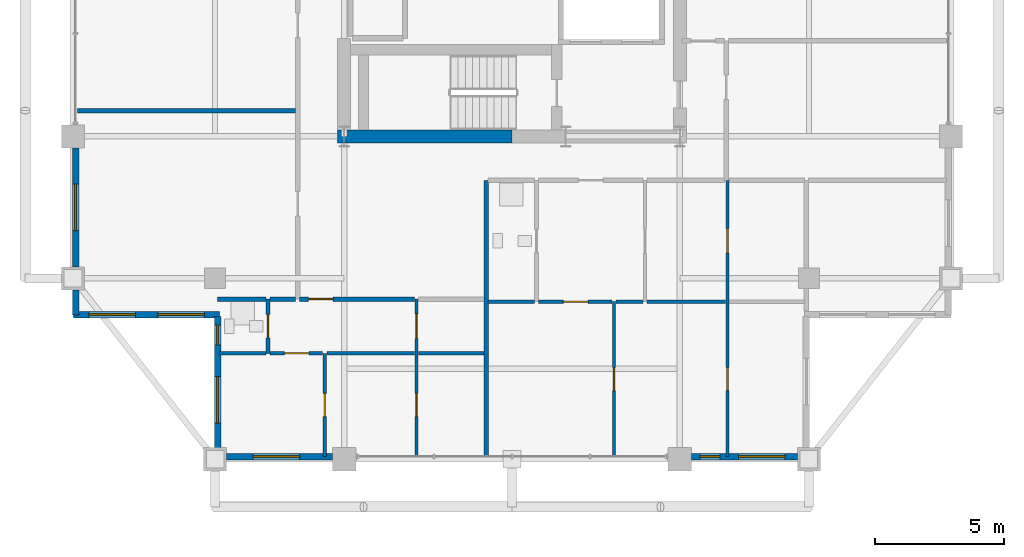
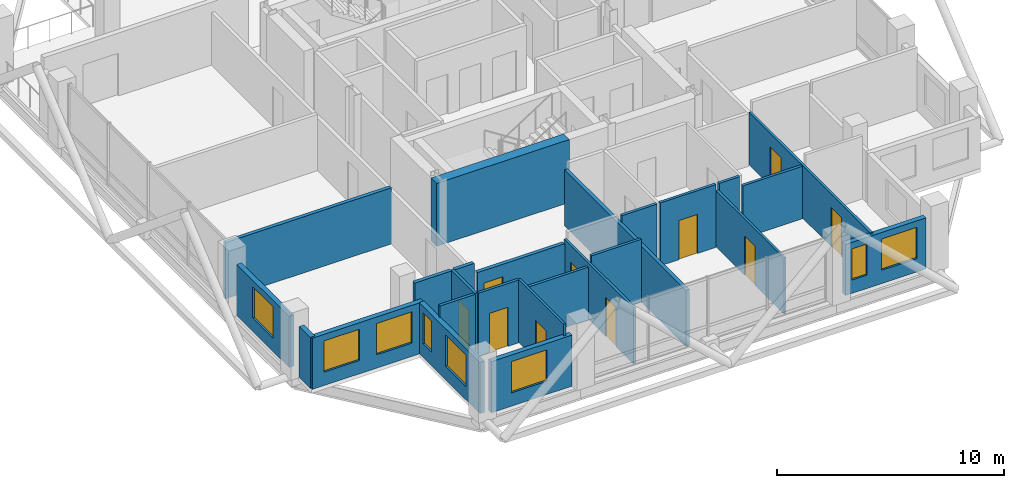
# One storey, part 15 of 21: 25 walls, 10 doors, 8 windows, 18 openings.
"""IFC4 building model written with IfcOpenShell, lengths in metres."""

from ifc_helpers import new_model, si_unit, direction, frame, frame_2d, origin, place, context, subcontext, project, spatial, rectangle, extrude, material, layer, layer_set, type_object, element, fill, save


model = new_model("IFC4")

# Units and contexts
model_context = context("Model", 3, precision=1e-05, world=origin(), true_north=direction((0.0, 1.0)))
body_context = subcontext(model_context, "Body", "Model", "MODEL_VIEW")
ifc_project = project(units=[si_unit("LENGTHUNIT", "METRE"), si_unit("AREAUNIT", "SQUARE_METRE"), si_unit("VOLUMEUNIT", "CUBIC_METRE"), si_unit("PLANEANGLEUNIT", "RADIAN"), si_unit("MASSUNIT", "GRAM", prefix="KILO")], contexts=[model_context])

# Site, building, storey
site_placement = place(None, origin())
site = spatial("IfcSite", under=ifc_project, at=site_placement, CompositionType="ELEMENT")
building_placement = place(site_placement, origin())
building = spatial("IfcBuilding", under=site, at=building_placement, Name="Barlavira Tower and Art Museum", CompositionType="ELEMENT")
storey_placement = place(building_placement, frame((0.0, 0.0, 261.89990234375)))
storey = spatial("IfcBuildingStorey", under=building, at=storey_placement, Name="L68", CompositionType="ELEMENT", Elevation=261.89990234375)

# Wall, opening, door
ifc_material_1 = material(Name="Gypsum acoustic stud partition", Category="gypsum")
ifc_layer_1 = layer(ifc_material_1, 0.1201171875, Name="Gypsum acoustic stud partition")
ifc_layer_set_1 = layer_set([ifc_layer_1], Name="Gypsum acoustic stud partition")
wall_type_1 = type_object("IfcWallType", Name="Apartment Internal Acoustic Partition 120", PredefinedType="PARTITIONING", material=ifc_layer_set_1)
wall_1_placement = place(storey_placement, frame((-7.25, -19.89990234375, 0.0), z_axis=(0.0, 0.0, 1.0), x_axis=(0.0, 1.0, 0.0)))
wall_1 = element("IfcWall", 1, at=wall_1_placement, inside=storey, type_object=wall_type_1, Name="L68 Partition Wall 3", PredefinedType="PARTITIONING", context=body_context, shape_type="SweptSolid", body=[
    extrude(rectangle(XDim=4.0, YDim=0.1201171875, at=frame_2d((2.0, 0.0))), origin(), (0.0, 0.0, 1.0), 3.380126953125),
])
opening_1_placement = place(wall_1_placement, frame((1.550048828125, 0.0, 0.0)))
opening_1 = element("IfcOpeningElement", 2, at=opening_1_placement, cuts=wall_1, Name="Opening D-01", PredefinedType="OPENING", context=body_context, shape_type="SweptSolid", body=[
    extrude(rectangle(XDim=0.89990234375, YDim=2.10009765625, at=frame_2d((0.449951171875, 1.050048828125))), frame((0.0, 0.070068359375, 0.0), z_axis=(0.0, -1.0, 0.0), x_axis=(1.0, 0.0, 0.0)), (0.0, 0.0, 1.0), 0.14013671875),
])
ifc_material_2 = material(Name="Engineered coastal hardwood", Category="wood")
door_type_1 = type_object("IfcDoorType", Name="Internal Bedroom Timber Flush Door 900x2100", OperationType="NOTDEFINED", PredefinedType="DOOR", material=ifc_material_2)
door_1_placement = place(opening_1_placement, origin())
door_1 = element("IfcDoor", 3, at=door_1_placement, inside=storey, type_object=door_type_1, Name="Apartment WP-SW Bedroom 1 Door", OperationType="SINGLE_SWING_RIGHT", OverallHeight=2.10009765625, OverallWidth=0.89990234375, PredefinedType="DOOR", context=body_context, shape_type="SweptSolid", body=[
    extrude(rectangle(XDim=0.89990234375, YDim=2.10009765625, at=frame_2d((0.449951171875, 1.050048828125))), frame((0.0, 0.02490234375, 0.0), z_axis=(0.0, -1.0, 0.0), x_axis=(1.0, 0.0, 0.0)), (0.0, 0.0, 1.0), 0.050048828125),
])
fill(opening_1, door_1)

# Wall, openings, doors
wall_2_placement = place(storey_placement, frame((-3.699951171875, -19.89990234375, 0.0), z_axis=(0.0, 0.0, 1.0), x_axis=(0.0, 1.0, 0.0)))
wall_2 = element("IfcWall", 4, at=wall_2_placement, inside=storey, type_object=wall_type_1, Name="L68 Partition Wall 6", PredefinedType="PARTITIONING", context=body_context, shape_type="SweptSolid", body=[
    extrude(rectangle(XDim=6.099853515625, YDim=0.1201171875, at=frame_2d((3.0498046875, 0.0))), origin(), (0.0, 0.0, 1.0), 3.01806640625),
])
opening_2_placement = place(wall_2_placement, frame((4.574951171875, 0.0, 0.0)))
opening_2 = element("IfcOpeningElement", 5, at=opening_2_placement, cuts=wall_2, Name="Opening D-02", PredefinedType="OPENING", context=body_context, shape_type="SweptSolid", body=[
    extrude(rectangle(XDim=0.949951171875, YDim=2.10009765625, at=frame_2d((0.47509765625, 1.050048828125))), frame((0.0, 0.070068359375, 0.0), z_axis=(0.0, -1.0, 0.0), x_axis=(1.0, 0.0, 0.0)), (0.0, 0.0, 1.0), 0.14013671875),
])
opening_3_placement = place(wall_2_placement, frame((1.550048828125, 0.0, 0.0)))
opening_3 = element("IfcOpeningElement", 6, at=opening_3_placement, cuts=wall_2, Name="Opening D-01", PredefinedType="OPENING", context=body_context, shape_type="SweptSolid", body=[
    extrude(rectangle(XDim=0.89990234375, YDim=2.10009765625, at=frame_2d((0.449951171875, 1.050048828125))), frame((0.0, 0.070068359375, 0.0), z_axis=(0.0, -1.0, 0.0), x_axis=(1.0, 0.0, 0.0)), (0.0, 0.0, 1.0), 0.14013671875),
])
door_2_placement = place(opening_3_placement, origin())
door_2 = element("IfcDoor", 7, at=door_2_placement, inside=storey, type_object=door_type_1, Name="Apartment WP-SW Bedroom 2 Door", OperationType="SINGLE_SWING_LEFT", OverallHeight=2.10009765625, OverallWidth=0.89990234375, PredefinedType="DOOR", context=body_context, shape_type="SweptSolid", body=[
    extrude(rectangle(XDim=0.89990234375, YDim=2.10009765625, at=frame_2d((0.449951171875, 1.050048828125))), frame((0.0, 0.02490234375, 0.0), z_axis=(0.0, -1.0, 0.0), x_axis=(1.0, 0.0, 0.0)), (0.0, 0.0, 1.0), 0.050048828125),
])
fill(opening_3, door_2)
door_type_2 = type_object("IfcDoorType", Name="Living and Salon Glazed-Leaf Door 950x2100", OperationType="NOTDEFINED", PredefinedType="DOOR", material=ifc_material_2)
door_3_placement = place(opening_2_placement, origin())
door_3 = element("IfcDoor", 8, at=door_3_placement, inside=storey, type_object=door_type_2, Name="Apartment WP-SW Kitchen Door", OperationType="SINGLE_SWING_RIGHT", OverallHeight=2.10009765625, OverallWidth=0.949951171875, PredefinedType="DOOR", context=body_context, shape_type="SweptSolid", body=[
    extrude(rectangle(XDim=0.949951171875, YDim=2.10009765625, at=frame_2d((0.47509765625, 1.050048828125))), frame((0.0, 0.02490234375, 0.0), z_axis=(0.0, -1.0, 0.0), x_axis=(1.0, 0.0, 0.0)), (0.0, 0.0, 1.0), 0.050048828125),
])
fill(opening_2, door_3)

# Wall, opening, door
wall_3_placement = place(storey_placement, frame((3.949951171875, -19.89990234375, 0.0), z_axis=(0.0, 0.0, 1.0), x_axis=(0.0, 1.0, 0.0)))
wall_3 = element("IfcWall", 9, at=wall_3_placement, inside=storey, type_object=wall_type_1, Name="L68 Partition Wall 9", PredefinedType="PARTITIONING", context=body_context, shape_type="SweptSolid", body=[
    extrude(rectangle(XDim=6.0, YDim=0.1201171875, at=frame_2d((3.0, 0.0))), origin(), (0.0, 0.0, 1.0), 3.01806640625),
])
opening_4_placement = place(wall_3_placement, frame((2.550048828125, 0.0, 0.0)))
opening_4 = element("IfcOpeningElement", 10, at=opening_4_placement, cuts=wall_3, Name="Opening D-01", PredefinedType="OPENING", context=body_context, shape_type="SweptSolid", body=[
    extrude(rectangle(XDim=0.89990234375, YDim=2.10009765625, at=frame_2d((0.449951171875, 1.050048828125))), frame((0.0, 0.070068359375, 0.0), z_axis=(0.0, -1.0, 0.0), x_axis=(1.0, 0.0, 0.0)), (0.0, 0.0, 1.0), 0.14013671875),
])
door_4_placement = place(opening_4_placement, origin())
door_4 = element("IfcDoor", 11, at=door_4_placement, inside=storey, type_object=door_type_1, Name="Apartment WP-SE Bedroom 1 Door", OperationType="SINGLE_SWING_LEFT", OverallHeight=2.10009765625, OverallWidth=0.89990234375, PredefinedType="DOOR", context=body_context, shape_type="SweptSolid", body=[
    extrude(rectangle(XDim=0.89990234375, YDim=2.10009765625, at=frame_2d((0.449951171875, 1.050048828125))), frame((0.0, 0.02490234375, 0.0), z_axis=(0.0, -1.0, 0.0), x_axis=(1.0, 0.0, 0.0)), (0.0, 0.0, 1.0), 0.050048828125),
])
fill(opening_4, door_4)

# Wall, openings, doors
wall_4_placement = place(storey_placement, frame((8.35009765625, -19.89990234375, 0.0), z_axis=(0.0, 0.0, 1.0), x_axis=(0.0, 1.0, 0.0)))
wall_4 = element("IfcWall", 12, at=wall_4_placement, inside=storey, type_object=wall_type_1, Name="L68 Partition Wall 16", PredefinedType="PARTITIONING", context=body_context, shape_type="SweptSolid", body=[
    extrude(rectangle(XDim=10.699951171875, YDim=0.1201171875, at=frame_2d((5.35009765625, 0.0))), origin(), (0.0, 0.0, 1.0), 2.826171875),
])
opening_5_placement = place(wall_4_placement, frame((7.875, 0.0, 0.0)))
opening_5 = element("IfcOpeningElement", 13, at=opening_5_placement, cuts=wall_4, Name="Opening D-02", PredefinedType="OPENING", context=body_context, shape_type="SweptSolid", body=[
    extrude(rectangle(XDim=0.949951171875, YDim=2.10009765625, at=frame_2d((0.47509765625, 1.050048828125))), frame((0.0, 0.070068359375, 0.0), z_axis=(0.0, -1.0, 0.0), x_axis=(1.0, 0.0, 0.0)), (0.0, 0.0, 1.0), 0.14013671875),
])
opening_6_placement = place(wall_4_placement, frame((2.550048828125, 0.0, 0.0)))
opening_6 = element("IfcOpeningElement", 14, at=opening_6_placement, cuts=wall_4, Name="Opening D-01", PredefinedType="OPENING", context=body_context, shape_type="SweptSolid", body=[
    extrude(rectangle(XDim=0.89990234375, YDim=2.10009765625, at=frame_2d((0.449951171875, 1.050048828125))), frame((0.0, 0.070068359375, 0.0), z_axis=(0.0, -1.0, 0.0), x_axis=(1.0, 0.0, 0.0)), (0.0, 0.0, 1.0), 0.14013671875),
])
door_5_placement = place(opening_6_placement, origin())
door_5 = element("IfcDoor", 15, at=door_5_placement, inside=storey, type_object=door_type_1, Name="Apartment WP-SE Bedroom 2 Door", OperationType="SINGLE_SWING_RIGHT", OverallHeight=2.10009765625, OverallWidth=0.89990234375, PredefinedType="DOOR", context=body_context, shape_type="SweptSolid", body=[
    extrude(rectangle(XDim=0.89990234375, YDim=2.10009765625, at=frame_2d((0.449951171875, 1.050048828125))), frame((0.0, 0.02490234375, 0.0), z_axis=(0.0, -1.0, 0.0), x_axis=(1.0, 0.0, 0.0)), (0.0, 0.0, 1.0), 0.050048828125),
])
fill(opening_6, door_5)
door_6_placement = place(opening_5_placement, origin())
door_6 = element("IfcDoor", 16, at=door_6_placement, inside=storey, type_object=door_type_2, Name="Apartment WP-SE Dining Salon Door", OperationType="SINGLE_SWING_LEFT", OverallHeight=2.10009765625, OverallWidth=0.949951171875, PredefinedType="DOOR", context=body_context, shape_type="SweptSolid", body=[
    extrude(rectangle(XDim=0.949951171875, YDim=2.10009765625, at=frame_2d((0.47509765625, 1.050048828125))), frame((0.0, 0.02490234375, 0.0), z_axis=(0.0, -1.0, 0.0), x_axis=(1.0, 0.0, 0.0)), (0.0, 0.0, 1.0), 0.050048828125),
])
fill(opening_5, door_6)

# Walls
ifc_material_3 = material(Name="Concrete C60", Category="concrete")
ifc_layer_2 = layer(ifc_material_3, 0.5, Name="Concrete C60")
ifc_layer_set_2 = layer_set([ifc_layer_2], Name="Concrete C60")
wall_type_2 = type_object("IfcWallType", Name="Core Structural Shear Wall 500 Concrete C60", PredefinedType="SHEAR", material=ifc_layer_set_2)
wall_5_placement = place(storey_placement, frame((-6.75, -7.5, 0.0), z_axis=(0.0, 0.0, 1.0), x_axis=(1.0, 0.0, 0.0)))
element("IfcWall", 17, at=wall_5_placement, inside=storey, type_object=wall_type_2, Name="L68 Core Shear Wall CS-SW", PredefinedType="SHEAR", context=body_context, shape_type="SweptSolid", body=[
    extrude(rectangle(XDim=6.75, YDim=0.5, at=frame_2d((3.375, 0.0))), origin(), (0.0, 0.0, 1.0), 3.380126953125),
])
ifc_layer_3 = layer(ifc_material_1, 0.179931640625, Name="Gypsum acoustic stud partition")
ifc_layer_set_3 = layer_set([ifc_layer_3], Name="Gypsum acoustic stud partition")
wall_type_3 = type_object("IfcWallType", Name="Inter-Tenancy Party Partition Wall 180", PredefinedType="PARTITIONING", material=ifc_layer_set_3)
wall_6_placement = place(storey_placement, frame((-1.0, -19.89990234375, 0.0), z_axis=(0.0, 0.0, 1.0), x_axis=(0.0, 1.0, 0.0)))
element("IfcWall", 18, at=wall_6_placement, inside=storey, type_object=wall_type_3, Name="L68 Partition Wall 7", PredefinedType="PARTITIONING", context=body_context, shape_type="SweptSolid", body=[
    extrude(rectangle(XDim=10.699951171875, YDim=0.179931640625, at=frame_2d((5.35009765625, 0.0))), origin(), (0.0, 0.0, 1.0), 3.01806640625),
])
wall_7_placement = place(storey_placement, frame((-11.39990234375, -13.800048828125, 0.0), z_axis=(0.0, 0.0, 1.0), x_axis=(1.0, 0.0, 0.0)))
element("IfcWall", 19, at=wall_7_placement, inside=storey, type_object=wall_type_3, Name="L68 Partition Wall 28", PredefinedType="PARTITIONING", context=body_context, shape_type="SweptSolid", body=[
    extrude(rectangle(XDim=1.869873046875, YDim=0.179931640625, at=frame_2d((0.93505859375, 0.0))), origin(), (0.0, 0.0, 1.0), 3.380126953125),
])
wall_8_placement = place(storey_placement, frame((-9.3701171875, -13.800048828125, 0.0), z_axis=(0.0, 0.0, 1.0), x_axis=(1.0, 0.0, 0.0)))
element("IfcWall", 20, at=wall_8_placement, inside=storey, type_object=wall_type_3, Name="L68 Partition Wall 29", PredefinedType="PARTITIONING", context=body_context, shape_type="SweptSolid", body=[
    extrude(rectangle(XDim=0.990234375, YDim=0.179931640625, at=frame_2d((0.4951171875, 0.0))), origin(), (0.0, 0.0, 1.0), 3.380126953125),
])

# Wall, opening, door
wall_9_placement = place(storey_placement, frame((-8.219970703125, -13.800048828125, 0.0), z_axis=(0.0, 0.0, 1.0), x_axis=(1.0, 0.0, 0.0)))
wall_9 = element("IfcWall", 21, at=wall_9_placement, inside=storey, type_object=wall_type_3, Name="L68 Partition Wall 30", PredefinedType="PARTITIONING", context=body_context, shape_type="SweptSolid", body=[
    extrude(rectangle(XDim=4.43994140625, YDim=0.179931640625, at=frame_2d((2.219970703125, 0.0))), origin(), (0.0, 0.0, 1.0), 2.826171875),
])
opening_7_placement = place(wall_9_placement, frame((0.344970703125, 0.0, 0.0)))
opening_7 = element("IfcOpeningElement", 22, at=opening_7_placement, cuts=wall_9, Name="Opening FD-60", PredefinedType="OPENING", context=body_context, shape_type="SweptSolid", body=[
    extrude(rectangle(XDim=0.949951171875, YDim=2.14990234375, at=frame_2d((0.47509765625, 1.074951171875))), frame((0.0, 0.10009765625, 0.0), z_axis=(0.0, -1.0, 0.0), x_axis=(1.0, 0.0, 0.0)), (0.0, 0.0, 1.0), 0.199951171875),
])
ifc_material_4 = material(Name="Brushed stainless steel", Category="steel")
door_type_3 = type_object("IfcDoorType", Name="Apartment Entrance and Riser Fire Door 950x2150 FD60S", OperationType="NOTDEFINED", PredefinedType="DOOR", material=ifc_material_4)
door_7_placement = place(opening_7_placement, origin())
door_7 = element("IfcDoor", 23, at=door_7_placement, inside=storey, type_object=door_type_3, Name="Apartment Entrance Hall WP-SW Door", OperationType="SINGLE_SWING_LEFT", OverallHeight=2.14990234375, OverallWidth=0.949951171875, PredefinedType="DOOR", context=body_context, shape_type="SweptSolid", body=[
    extrude(rectangle(XDim=0.949951171875, YDim=2.14990234375, at=frame_2d((0.47509765625, 1.074951171875))), frame((0.0, 0.02490234375, 0.0), z_axis=(0.0, -1.0, 0.0), x_axis=(1.0, 0.0, 0.0)), (0.0, 0.0, 1.0), 0.050048828125),
])
fill(opening_7, door_7)

# Wall
wall_10_placement = place(storey_placement, frame((-16.820068359375, -6.5, 0.0), z_axis=(0.0, 0.0, 1.0), x_axis=(1.0, 0.0, 0.0)))
element("IfcWall", 24, at=wall_10_placement, inside=storey, type_object=wall_type_3, Name="L68 Partition Wall 37", PredefinedType="PARTITIONING", context=body_context, shape_type="SweptSolid", body=[
    extrude(rectangle(XDim=8.440185546875, YDim=0.179931640625, at=frame_2d((4.22021484375, 0.0))), origin(), (0.0, 0.0, 1.0), 3.01806640625),
])

# Wall, opening, door
ifc_layer_4 = layer(ifc_material_1, 0.139892578125, Name="Gypsum acoustic stud partition")
ifc_layer_set_4 = layer_set([ifc_layer_4], Name="Gypsum acoustic stud partition")
wall_type_4 = type_object("IfcWallType", Name="Moisture-Resistant Bathroom Partition 140", PredefinedType="PARTITIONING", material=ifc_layer_set_4)
wall_11_placement = place(storey_placement, frame((-9.449951171875, -15.89990234375, 0.0), z_axis=(0.0, 0.0, 1.0), x_axis=(0.0, 1.0, 0.0)))
wall_11 = element("IfcWall", 25, at=wall_11_placement, inside=storey, type_object=wall_type_4, Name="L68 Partition Wall 1", PredefinedType="PARTITIONING", context=body_context, shape_type="SweptSolid", body=[
    extrude(rectangle(XDim=2.099853515625, YDim=0.139892578125, at=frame_2d((1.0498046875, 0.0))), origin(), (0.0, 0.0, 1.0), 3.380126953125),
])
opening_8_placement = place(wall_11_placement, frame((0.60009765625, 0.0, 0.0)))
opening_8 = element("IfcOpeningElement", 26, at=opening_8_placement, cuts=wall_11, Name="Opening D-WC", PredefinedType="OPENING", context=body_context, shape_type="SweptSolid", body=[
    extrude(rectangle(XDim=0.89990234375, YDim=2.10009765625, at=frame_2d((0.449951171875, 1.050048828125))), frame((0.0, 0.080078125, 0.0), z_axis=(0.0, -1.0, 0.0), x_axis=(1.0, 0.0, 0.0)), (0.0, 0.0, 1.0), 0.159912109375),
])
door_type_4 = type_object("IfcDoorType", Name="Accessible Bathroom Flush Door 900x2100", OperationType="NOTDEFINED", PredefinedType="DOOR", material=ifc_material_2)
door_8_placement = place(opening_8_placement, origin())
door_8 = element("IfcDoor", 27, at=door_8_placement, inside=storey, type_object=door_type_4, Name="Apartment WP-SW Hall Bathroom Door", OperationType="SINGLE_SWING_RIGHT", OverallHeight=2.10009765625, OverallWidth=0.89990234375, PredefinedType="DOOR", context=body_context, shape_type="SweptSolid", body=[
    extrude(rectangle(XDim=0.89990234375, YDim=2.10009765625, at=frame_2d((0.449951171875, 1.050048828125))), frame((0.0, 0.02490234375, 0.0), z_axis=(0.0, -1.0, 0.0), x_axis=(1.0, 0.0, 0.0)), (0.0, 0.0, 1.0), 0.050048828125),
])
fill(opening_8, door_8)

# Wall
wall_12_placement = place(storey_placement, frame((-11.320068359375, -15.89990234375, 0.0), z_axis=(0.0, 0.0, 1.0), x_axis=(1.0, 0.0, 0.0)))
element("IfcWall", 28, at=wall_12_placement, inside=storey, type_object=wall_type_4, Name="L68 Partition Wall 19", PredefinedType="PARTITIONING", context=body_context, shape_type="SweptSolid", body=[
    extrude(rectangle(XDim=1.7900390625, YDim=0.139892578125, at=frame_2d((0.89501953125, 0.0))), origin(), (0.0, 0.0, 1.0), 3.380126953125),
])

# Wall, opening, door
wall_13_placement = place(storey_placement, frame((-9.3701171875, -15.89990234375, 0.0), z_axis=(0.0, 0.0, 1.0), x_axis=(1.0, 0.0, 0.0)))
wall_13 = element("IfcWall", 29, at=wall_13_placement, inside=storey, type_object=wall_type_4, Name="L68 Partition Wall 20", PredefinedType="PARTITIONING", context=body_context, shape_type="SweptSolid", body=[
    extrude(rectangle(XDim=2.0400390625, YDim=0.139892578125, at=frame_2d((1.02001953125, 0.0))), origin(), (0.0, 0.0, 1.0), 3.380126953125),
])
opening_9_placement = place(wall_13_placement, frame((0.554931640625, 0.0, 0.0)))
opening_9 = element("IfcOpeningElement", 30, at=opening_9_placement, cuts=wall_13, Name="Opening D-02", PredefinedType="OPENING", context=body_context, shape_type="SweptSolid", body=[
    extrude(rectangle(XDim=0.949951171875, YDim=2.10009765625, at=frame_2d((0.47509765625, 1.050048828125))), frame((0.0, 0.080078125, 0.0), z_axis=(0.0, -1.0, 0.0), x_axis=(1.0, 0.0, 0.0)), (0.0, 0.0, 1.0), 0.159912109375),
])
door_9_placement = place(opening_9_placement, origin())
door_9 = element("IfcDoor", 31, at=door_9_placement, inside=storey, type_object=door_type_2, Name="Apartment WP-SW Living Lounge Door", OperationType="SINGLE_SWING_LEFT", OverallHeight=2.10009765625, OverallWidth=0.949951171875, PredefinedType="DOOR", context=body_context, shape_type="SweptSolid", body=[
    extrude(rectangle(XDim=0.949951171875, YDim=2.10009765625, at=frame_2d((0.47509765625, 1.050048828125))), frame((0.0, 0.02490234375, 0.0), z_axis=(0.0, -1.0, 0.0), x_axis=(1.0, 0.0, 0.0)), (0.0, 0.0, 1.0), 0.050048828125),
])
fill(opening_9, door_9)

# Walls
wall_14_placement = place(storey_placement, frame((-7.169921875, -15.89990234375, 0.0), z_axis=(0.0, 0.0, 1.0), x_axis=(1.0, 0.0, 0.0)))
element("IfcWall", 32, at=wall_14_placement, inside=storey, type_object=wall_type_4, Name="L68 Partition Wall 21", PredefinedType="PARTITIONING", context=body_context, shape_type="SweptSolid", body=[
    extrude(rectangle(XDim=3.389892578125, YDim=0.139892578125, at=frame_2d((1.69482421875, 0.0))), origin(), (0.0, 0.0, 1.0), 2.826171875),
])
wall_15_placement = place(storey_placement, frame((-3.6201171875, -15.89990234375, 0.0), z_axis=(0.0, 0.0, 1.0), x_axis=(1.0, 0.0, 0.0)))
element("IfcWall", 33, at=wall_15_placement, inside=storey, type_object=wall_type_4, Name="L68 Partition Wall 22", PredefinedType="PARTITIONING", context=body_context, shape_type="SweptSolid", body=[
    extrude(rectangle(XDim=2.5400390625, YDim=0.139892578125, at=frame_2d((1.27001953125, 0.0))), origin(), (0.0, 0.0, 1.0), 3.380126953125),
])
wall_16_placement = place(storey_placement, frame((-0.919921875, -13.89990234375, 0.0), z_axis=(0.0, 0.0, 1.0), x_axis=(1.0, 0.0, 0.0)))
element("IfcWall", 34, at=wall_16_placement, inside=storey, type_object=wall_type_4, Name="L68 Partition Wall 23", PredefinedType="PARTITIONING", context=body_context, shape_type="SweptSolid", body=[
    extrude(rectangle(XDim=1.7900390625, YDim=0.139892578125, at=frame_2d((0.89501953125, 0.0))), origin(), (0.0, 0.0, 1.0), 3.380126953125),
])

# Wall, opening, door
wall_17_placement = place(storey_placement, frame((1.030029296875, -13.89990234375, 0.0), z_axis=(0.0, 0.0, 1.0), x_axis=(1.0, 0.0, 0.0)))
wall_17 = element("IfcWall", 35, at=wall_17_placement, inside=storey, type_object=wall_type_4, Name="L68 Partition Wall 24", PredefinedType="PARTITIONING", context=body_context, shape_type="SweptSolid", body=[
    extrude(rectangle(XDim=2.840087890625, YDim=0.139892578125, at=frame_2d((1.419921875, 0.0))), origin(), (0.0, 0.0, 1.0), 3.380126953125),
])
opening_10_placement = place(wall_17_placement, frame((0.955078125, 0.0, 0.0)))
opening_10 = element("IfcOpeningElement", 36, at=opening_10_placement, cuts=wall_17, Name="Opening D-02", PredefinedType="OPENING", context=body_context, shape_type="SweptSolid", body=[
    extrude(rectangle(XDim=0.949951171875, YDim=2.10009765625, at=frame_2d((0.47509765625, 1.050048828125))), frame((0.0, 0.080078125, 0.0), z_axis=(0.0, -1.0, 0.0), x_axis=(1.0, 0.0, 0.0)), (0.0, 0.0, 1.0), 0.159912109375),
])
door_10_placement = place(opening_10_placement, origin())
door_10 = element("IfcDoor", 37, at=door_10_placement, inside=storey, type_object=door_type_2, Name="Apartment WP-SE Living Lounge Door", OperationType="SINGLE_SWING_RIGHT", OverallHeight=2.10009765625, OverallWidth=0.949951171875, PredefinedType="DOOR", context=body_context, shape_type="SweptSolid", body=[
    extrude(rectangle(XDim=0.949951171875, YDim=2.10009765625, at=frame_2d((0.47509765625, 1.050048828125))), frame((0.0, 0.02490234375, 0.0), z_axis=(0.0, -1.0, 0.0), x_axis=(1.0, 0.0, 0.0)), (0.0, 0.0, 1.0), 0.050048828125),
])
fill(opening_10, door_10)

# Walls
wall_18_placement = place(storey_placement, frame((4.030029296875, -13.89990234375, 0.0), z_axis=(0.0, 0.0, 1.0), x_axis=(1.0, 0.0, 0.0)))
element("IfcWall", 38, at=wall_18_placement, inside=storey, type_object=wall_type_4, Name="L68 Partition Wall 25", PredefinedType="PARTITIONING", context=body_context, shape_type="SweptSolid", body=[
    extrude(rectangle(XDim=1.0400390625, YDim=0.139892578125, at=frame_2d((0.52001953125, 0.0))), origin(), (0.0, 0.0, 1.0), 3.380126953125),
])
wall_19_placement = place(storey_placement, frame((5.22998046875, -13.89990234375, 0.0), z_axis=(0.0, 0.0, 1.0), x_axis=(1.0, 0.0, 0.0)))
element("IfcWall", 39, at=wall_19_placement, inside=storey, type_object=wall_type_4, Name="L68 Partition Wall 26", PredefinedType="PARTITIONING", context=body_context, shape_type="SweptSolid", body=[
    extrude(rectangle(XDim=3.0400390625, YDim=0.139892578125, at=frame_2d((1.52001953125, 0.0))), origin(), (0.0, 0.0, 1.0), 2.826171875),
])

# Wall, opening, window
ifc_material_5 = material(Name="Precast concrete C40", Category="concrete")
ifc_layer_5 = layer(ifc_material_5, 0.25, Name="Precast concrete C40")
ifc_layer_set_5 = layer_set([ifc_layer_5], Name="Precast concrete C40")
wall_type_5 = type_object("IfcWallType", Name="Notched Corner Spandrel Wall 250 Precast Concrete C40", PredefinedType="SOLIDWALL", material=ifc_layer_set_5)
wall_20_placement = place(storey_placement, frame((-11.054931640625, -19.89990234375, 0.0), z_axis=(0.0, 0.0, 1.0), x_axis=(1.0, 0.0, 0.0)))
wall_20 = element("IfcWall", 40, at=wall_20_placement, inside=storey, type_object=wall_type_5, Name="L68 Coastal Facade Pier Wall CW4-L68-S-1", PredefinedType="SOLIDWALL", context=body_context, shape_type="SweptSolid", body=[
    extrude(rectangle(XDim=4.10986328125, YDim=0.25, at=frame_2d((2.054931640625, 0.0))), origin(), (0.0, 0.0, 1.0), 2.748046875),
])
opening_11_placement = place(wall_20_placement, frame((1.030029296875, 0.0, 0.719970703125)))
opening_11 = element("IfcOpeningElement", 41, at=opening_11_placement, cuts=wall_20, Name="Opening WN-01", PredefinedType="OPENING", context=body_context, shape_type="SweptSolid", body=[
    extrude(rectangle(XDim=1.800048828125, YDim=1.679931640625, at=frame_2d((0.89990234375, 0.83984375))), frame((0.0, 0.135009765625, 0.0), z_axis=(0.0, -1.0, 0.0), x_axis=(1.0, 0.0, 0.0)), (0.0, 0.0, 1.0), 0.27001953125),
])
ifc_material_6 = material(Name="Low-iron coastal laminated glass", Category="glass")
window_type_1 = type_object("IfcWindowType", Name="Recessed Notch Corner Punch Window 1800x1680", PartitioningType="SINGLE_PANEL", PredefinedType="WINDOW", material=ifc_material_6)
window_1_placement = place(opening_11_placement, origin())
window_1 = element("IfcWindow", 42, at=window_1_placement, inside=storey, type_object=window_type_1, Name="L68 Punched Facade Window EWP-CW4-L68-S-1-1", OverallHeight=1.679931640625, OverallWidth=1.800048828125, PartitioningType="SINGLE_PANEL", PredefinedType="WINDOW", context=body_context, shape_type="SweptSolid", body=[
    extrude(rectangle(XDim=1.800048828125, YDim=1.679931640625, at=frame_2d((0.89990234375, 0.83984375))), frame((0.0, 0.030029296875, 0.0), z_axis=(0.0, -1.0, 0.0), x_axis=(1.0, 0.0, 0.0)), (0.0, 0.0, 1.0), 0.06005859375),
])
fill(opening_11, window_1)

# Wall, openings, windows
wall_21_placement = place(storey_placement, frame((6.945068359375, -19.89990234375, 0.0), z_axis=(0.0, 0.0, 1.0), x_axis=(1.0, 0.0, 0.0)))
wall_21 = element("IfcWall", 43, at=wall_21_placement, inside=storey, type_object=wall_type_5, Name="L68 Coastal Facade Pier Wall CW4-L68-S-3", PredefinedType="SOLIDWALL", context=body_context, shape_type="SweptSolid", body=[
    extrude(rectangle(XDim=4.10986328125, YDim=0.25, at=frame_2d((2.054931640625, 0.0))), origin(), (0.0, 0.0, 1.0), 2.748046875),
])
opening_12_placement = place(wall_21_placement, frame((0.344970703125, 0.0, 0.719970703125)))
opening_12 = element("IfcOpeningElement", 44, at=opening_12_placement, cuts=wall_21, Name="Opening WN-06", PredefinedType="OPENING", context=body_context, shape_type="SweptSolid", body=[
    extrude(rectangle(XDim=0.760009765625, YDim=1.679931640625, at=frame_2d((0.3798828125, 0.83984375))), frame((0.0, 0.135009765625, 0.0), z_axis=(0.0, -1.0, 0.0), x_axis=(1.0, 0.0, 0.0)), (0.0, 0.0, 1.0), 0.27001953125),
])
opening_13_placement = place(wall_21_placement, frame((1.8349609375, 0.0, 0.719970703125)))
opening_13 = element("IfcOpeningElement", 45, at=opening_13_placement, cuts=wall_21, Name="Opening WN-01", PredefinedType="OPENING", context=body_context, shape_type="SweptSolid", body=[
    extrude(rectangle(XDim=1.800048828125, YDim=1.679931640625, at=frame_2d((0.89990234375, 0.83984375))), frame((0.0, 0.135009765625, 0.0), z_axis=(0.0, -1.0, 0.0), x_axis=(1.0, 0.0, 0.0)), (0.0, 0.0, 1.0), 0.27001953125),
])
window_type_2 = type_object("IfcWindowType", Name="Recessed Narrow Pier Window 760x1680", PartitioningType="SINGLE_PANEL", PredefinedType="WINDOW", material=ifc_material_6)
window_2_placement = place(opening_12_placement, origin())
window_2 = element("IfcWindow", 46, at=window_2_placement, inside=storey, type_object=window_type_2, Name="L68 Punched Facade Window EWP-CW4-L68-S-3-1", OverallHeight=1.679931640625, OverallWidth=0.760009765625, PartitioningType="SINGLE_PANEL", PredefinedType="WINDOW", context=body_context, shape_type="SweptSolid", body=[
    extrude(rectangle(XDim=0.760009765625, YDim=1.679931640625, at=frame_2d((0.3798828125, 0.83984375))), frame((0.0, 0.030029296875, 0.0), z_axis=(0.0, -1.0, 0.0), x_axis=(1.0, 0.0, 0.0)), (0.0, 0.0, 1.0), 0.06005859375),
])
fill(opening_12, window_2)
window_3_placement = place(opening_13_placement, origin())
window_3 = element("IfcWindow", 47, at=window_3_placement, inside=storey, type_object=window_type_1, Name="L68 Punched Facade Window EWP-CW4-L68-S-3-2", OverallHeight=1.679931640625, OverallWidth=1.800048828125, PartitioningType="SINGLE_PANEL", PredefinedType="WINDOW", context=body_context, shape_type="SweptSolid", body=[
    extrude(rectangle(XDim=1.800048828125, YDim=1.679931640625, at=frame_2d((0.89990234375, 0.83984375))), frame((0.0, 0.030029296875, 0.0), z_axis=(0.0, -1.0, 0.0), x_axis=(1.0, 0.0, 0.0)), (0.0, 0.0, 1.0), 0.06005859375),
])
fill(opening_13, window_3)

# Wall, opening, window
wall_22_placement = place(storey_placement, frame((-16.89990234375, -7.945068359375, 0.0), z_axis=(0.0, 0.0, 1.0), x_axis=(0.0, -1.0, 0.0)))
wall_22 = element("IfcWall", 48, at=wall_22_placement, inside=storey, type_object=wall_type_5, Name="L68 Coastal Facade Pier Wall CW4-L68-W-3", PredefinedType="SOLIDWALL", context=body_context, shape_type="SweptSolid", body=[
    extrude(rectangle(XDim=4.60986328125, YDim=0.25, at=frame_2d((2.304931640625, 0.0))), origin(), (0.0, 0.0, 1.0), 2.748046875),
])
opening_14_placement = place(wall_22_placement, frame((1.405029296875, 0.0, 0.719970703125)))
opening_14 = element("IfcOpeningElement", 49, at=opening_14_placement, cuts=wall_22, Name="Opening WN-01", PredefinedType="OPENING", context=body_context, shape_type="SweptSolid", body=[
    extrude(rectangle(XDim=1.800048828125, YDim=1.679931640625, at=frame_2d((0.89990234375, 0.83984375))), frame((0.0, 0.135009765625, 0.0), z_axis=(0.0, -1.0, 0.0), x_axis=(1.0, 0.0, 0.0)), (0.0, 0.0, 1.0), 0.27001953125),
])
window_4_placement = place(opening_14_placement, origin())
window_4 = element("IfcWindow", 50, at=window_4_placement, inside=storey, type_object=window_type_1, Name="L68 Punched Facade Window EWP-CW4-L68-W-3-1", OverallHeight=1.679931640625, OverallWidth=1.800048828125, PartitioningType="SINGLE_PANEL", PredefinedType="WINDOW", context=body_context, shape_type="SweptSolid", body=[
    extrude(rectangle(XDim=1.800048828125, YDim=1.679931640625, at=frame_2d((0.89990234375, 0.83984375))), frame((0.0, 0.030029296875, 0.0), z_axis=(0.0, -1.0, 0.0), x_axis=(1.0, 0.0, 0.0)), (0.0, 0.0, 1.0), 0.06005859375),
])
fill(opening_14, window_4)

# Wall
wall_23_placement = place(storey_placement, frame((-16.89990234375, -13.445068359375, 0.0), z_axis=(0.0, 0.0, 1.0), x_axis=(0.0, -1.0, 0.0)))
element("IfcWall", 51, at=wall_23_placement, inside=storey, type_object=wall_type_5, Name="L68 Coastal Facade Pier Wall CW4-L68-W-4", PredefinedType="SOLIDWALL", context=body_context, shape_type="SweptSolid", body=[
    extrude(rectangle(XDim=0.97998046875, YDim=0.25, at=frame_2d((0.489990234375, 0.0))), origin(), (0.0, 0.0, 1.0), 2.748046875),
])

# Wall, openings, windows
wall_24_placement = place(storey_placement, frame((-16.97998046875, -14.39990234375, 0.0), z_axis=(0.0, 0.0, 1.0), x_axis=(1.0, 0.0, 0.0)))
wall_24 = element("IfcWall", 52, at=wall_24_placement, inside=storey, type_object=wall_type_5, Name="L68 Notch Corner Wall SW1", PredefinedType="SOLIDWALL", context=body_context, shape_type="SweptSolid", body=[
    extrude(rectangle(XDim=5.659912109375, YDim=0.25, at=frame_2d((2.830078125, 0.0))), origin(), (0.0, 0.0, 1.0), 2.748046875),
])
opening_15_placement = place(wall_24_placement, frame((0.594970703125, 0.0, 0.719970703125)))
opening_15 = element("IfcOpeningElement", 53, at=opening_15_placement, cuts=wall_24, Name="Opening WN-01", PredefinedType="OPENING", context=body_context, shape_type="SweptSolid", body=[
    extrude(rectangle(XDim=1.800048828125, YDim=1.679931640625, at=frame_2d((0.89990234375, 0.83984375))), frame((0.0, 0.135009765625, 0.0), z_axis=(0.0, -1.0, 0.0), x_axis=(1.0, 0.0, 0.0)), (0.0, 0.0, 1.0), 0.27001953125),
])
opening_16_placement = place(wall_24_placement, frame((3.264892578125, 0.0, 0.719970703125)))
opening_16 = element("IfcOpeningElement", 54, at=opening_16_placement, cuts=wall_24, Name="Opening WN-01", PredefinedType="OPENING", context=body_context, shape_type="SweptSolid", body=[
    extrude(rectangle(XDim=1.800048828125, YDim=1.679931640625, at=frame_2d((0.89990234375, 0.83984375))), frame((0.0, 0.135009765625, 0.0), z_axis=(0.0, -1.0, 0.0), x_axis=(1.0, 0.0, 0.0)), (0.0, 0.0, 1.0), 0.27001953125),
])
window_5_placement = place(opening_15_placement, origin())
window_5 = element("IfcWindow", 55, at=window_5_placement, inside=storey, type_object=window_type_1, Name="L68 Punched Facade Window EW-NTC-L68-SW1-1", OverallHeight=1.679931640625, OverallWidth=1.800048828125, PartitioningType="SINGLE_PANEL", PredefinedType="WINDOW", context=body_context, shape_type="SweptSolid", body=[
    extrude(rectangle(XDim=1.800048828125, YDim=1.679931640625, at=frame_2d((0.89990234375, 0.83984375))), frame((0.0, 0.030029296875, 0.0), z_axis=(0.0, -1.0, 0.0), x_axis=(1.0, 0.0, 0.0)), (0.0, 0.0, 1.0), 0.06005859375),
])
fill(opening_15, window_5)
window_6_placement = place(opening_16_placement, origin())
window_6 = element("IfcWindow", 56, at=window_6_placement, inside=storey, type_object=window_type_1, Name="L68 Punched Facade Window EW-NTC-L68-SW1-2", OverallHeight=1.679931640625, OverallWidth=1.800048828125, PartitioningType="SINGLE_PANEL", PredefinedType="WINDOW", context=body_context, shape_type="SweptSolid", body=[
    extrude(rectangle(XDim=1.800048828125, YDim=1.679931640625, at=frame_2d((0.89990234375, 0.83984375))), frame((0.0, 0.030029296875, 0.0), z_axis=(0.0, -1.0, 0.0), x_axis=(1.0, 0.0, 0.0)), (0.0, 0.0, 1.0), 0.06005859375),
])
fill(opening_16, window_6)

wall_25_placement = place(storey_placement, frame((-11.39990234375, -14.47998046875, 0.0), z_axis=(0.0, 0.0, 1.0), x_axis=(0.0, -1.0, 0.0)))
wall_25 = element("IfcWall", 57, at=wall_25_placement, inside=storey, type_object=wall_type_5, Name="L68 Notch Corner Wall SW2", PredefinedType="SOLIDWALL", context=body_context, shape_type="SweptSolid", body=[
    extrude(rectangle(XDim=5.340087890625, YDim=0.25, at=frame_2d((2.669921875, 0.0))), origin(), (0.0, 0.0, 1.0), 2.748046875),
])
opening_17_placement = place(wall_25_placement, frame((0.330078125, 0.0, 0.719970703125)))
opening_17 = element("IfcOpeningElement", 58, at=opening_17_placement, cuts=wall_25, Name="Opening WN-06", PredefinedType="OPENING", context=body_context, shape_type="SweptSolid", body=[
    extrude(rectangle(XDim=0.760009765625, YDim=1.679931640625, at=frame_2d((0.3798828125, 0.83984375))), frame((0.0, 0.135009765625, 0.0), z_axis=(0.0, -1.0, 0.0), x_axis=(1.0, 0.0, 0.0)), (0.0, 0.0, 1.0), 0.27001953125),
])
opening_18_placement = place(wall_25_placement, frame((2.324951171875, 0.0, 0.719970703125)))
opening_18 = element("IfcOpeningElement", 59, at=opening_18_placement, cuts=wall_25, Name="Opening WN-01", PredefinedType="OPENING", context=body_context, shape_type="SweptSolid", body=[
    extrude(rectangle(XDim=1.800048828125, YDim=1.679931640625, at=frame_2d((0.89990234375, 0.83984375))), frame((0.0, 0.135009765625, 0.0), z_axis=(0.0, -1.0, 0.0), x_axis=(1.0, 0.0, 0.0)), (0.0, 0.0, 1.0), 0.27001953125),
])
window_7_placement = place(opening_17_placement, origin())
window_7 = element("IfcWindow", 60, at=window_7_placement, inside=storey, type_object=window_type_2, Name="L68 Punched Facade Window EW-NTC-L68-SW2-1", OverallHeight=1.679931640625, OverallWidth=0.760009765625, PartitioningType="SINGLE_PANEL", PredefinedType="WINDOW", context=body_context, shape_type="SweptSolid", body=[
    extrude(rectangle(XDim=0.760009765625, YDim=1.679931640625, at=frame_2d((0.3798828125, 0.83984375))), frame((0.0, 0.030029296875, 0.0), z_axis=(0.0, -1.0, 0.0), x_axis=(1.0, 0.0, 0.0)), (0.0, 0.0, 1.0), 0.06005859375),
])
fill(opening_17, window_7)
window_8_placement = place(opening_18_placement, origin())
window_8 = element("IfcWindow", 61, at=window_8_placement, inside=storey, type_object=window_type_1, Name="L68 Punched Facade Window EW-NTC-L68-SW2-2", OverallHeight=1.679931640625, OverallWidth=1.800048828125, PartitioningType="SINGLE_PANEL", PredefinedType="WINDOW", context=body_context, shape_type="SweptSolid", body=[
    extrude(rectangle(XDim=1.800048828125, YDim=1.679931640625, at=frame_2d((0.89990234375, 0.83984375))), frame((0.0, 0.030029296875, 0.0), z_axis=(0.0, -1.0, 0.0), x_axis=(1.0, 0.0, 0.0)), (0.0, 0.0, 1.0), 0.06005859375),
])
fill(opening_18, window_8)

save(model, "model.ifc")
